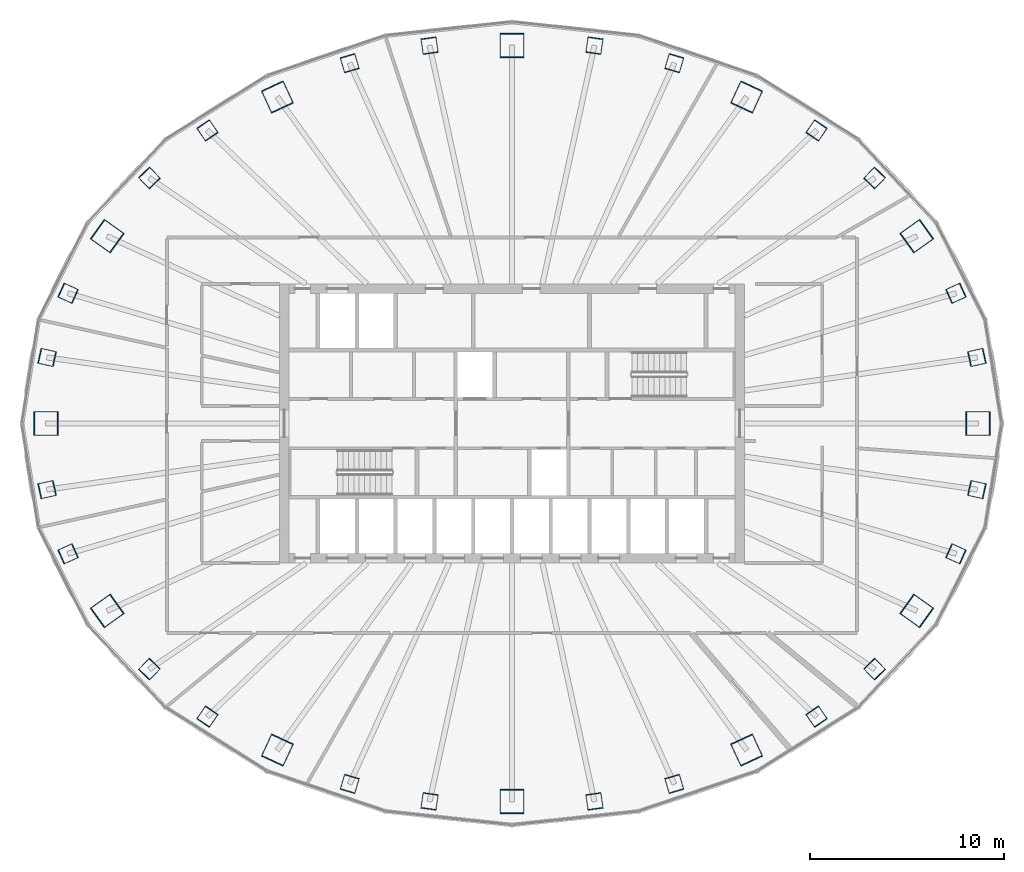
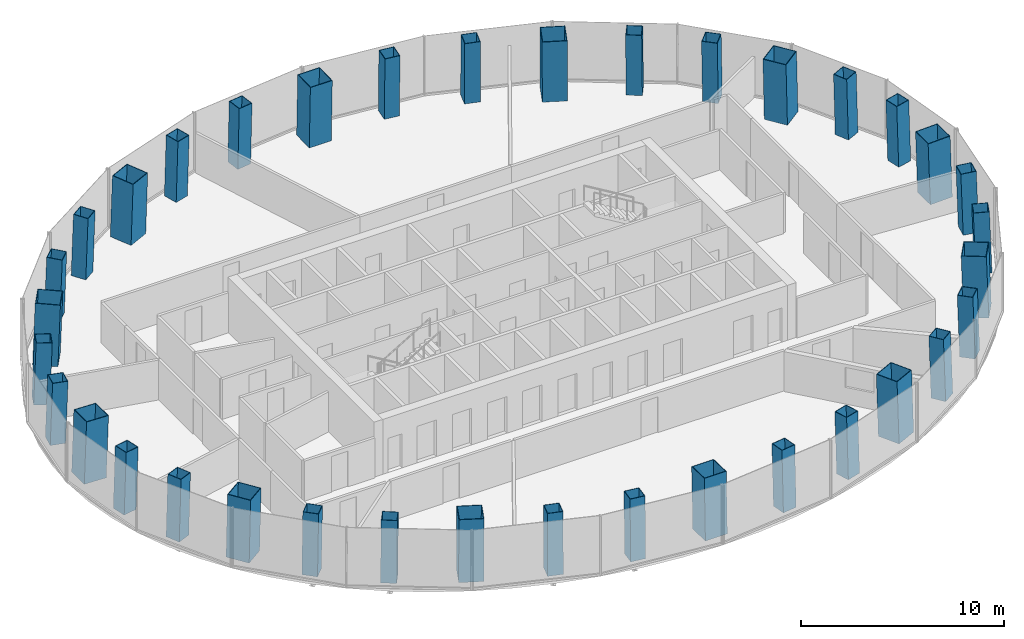
# One storey, part 1 of 11: 36 columns.
"""IFC4 building model written with IfcOpenShell, lengths in metres."""

from ifc_helpers import new_model, si_unit, direction, frame, origin, origin_2d, place, context, subcontext, project, spatial, hollow_rectangle, extrude, material, material_profile, profile_set, type_object, element, save


model = new_model("IFC4")

# Units and contexts
model_context = context("Model", 3, precision=1e-05, world=origin(), true_north=direction((0.0, 1.0)))
body_context = subcontext(model_context, "Body", "Model", "MODEL_VIEW")
ifc_project = project(units=[si_unit("LENGTHUNIT", "METRE"), si_unit("AREAUNIT", "SQUARE_METRE"), si_unit("VOLUMEUNIT", "CUBIC_METRE"), si_unit("PLANEANGLEUNIT", "RADIAN"), si_unit("MASSUNIT", "GRAM", prefix="KILO")], contexts=[model_context])

# Site, building, storey
site_placement = place(None, origin())
site = spatial("IfcSite", under=ifc_project, at=site_placement, CompositionType="ELEMENT")
building_placement = place(site_placement, origin())
building = spatial("IfcBuilding", under=site, at=building_placement, Name="Siaravel Broadcast Tower", CompositionType="ELEMENT")
storey_placement = place(building_placement, frame((0.0, 0.0, 126.699951171875)))
storey = spatial("IfcBuildingStorey", under=building, at=storey_placement, Name="L30", CompositionType="ELEMENT", Elevation=126.699951171875)

# Columns
ifc_material = material(Name="Concrete C60/75", Category="concrete")
ifc_material_profile_1 = material_profile(ifc_material, hollow_rectangle(XDim=1.25, YDim=1.25, WallThickness=0.031982421875, at=origin_2d()))
ifc_profile_set_1 = profile_set([ifc_material_profile_1], Name="Concrete C60/75")
column_type_1 = type_object("IfcColumnType", Name="COL-CFT BOX 1250x1250x32", PredefinedType="COLUMN", material=ifc_profile_set_1)
column_1_placement = place(storey_placement, frame((24.05712890625, 0.0, 0.0), z_axis=(-0.034621265, 0.0, 0.999400504), x_axis=(0.0, -1.0, 0.0)))
element("IfcColumn", 1, at=column_1_placement, inside=storey, type_object=column_type_1, Name="Megacolumn MC01", PredefinedType="COLUMN", context=body_context, shape_type="SweptSolid", body=[
    extrude(hollow_rectangle(XDim=1.25, YDim=1.25, WallThickness=0.031982421875, at=origin_2d()), origin(), (0.0, 0.0, 1.0), 3.7021484375),
])
column_2_placement = place(storey_placement, frame((20.8876953125, 9.66943359375, 0.0), z_axis=(-0.030006584, -0.014112987, 0.999450063), x_axis=(0.580982945, -0.813893982, 0.005950111)))
element("IfcColumn", 2, at=column_2_placement, inside=storey, type_object=column_type_1, Name="Megacolumn MC02", PredefinedType="COLUMN", context=body_context, shape_type="SweptSolid", body=[
    extrude(hollow_rectangle(XDim=1.25, YDim=1.25, WallThickness=0.031982421875, at=origin_2d()), origin(), (0.0, 0.0, 1.0), 3.701904296875),
])
column_3_placement = place(storey_placement, frame((12.1083984375, 16.851318359375, 0.0), z_axis=(-0.017346173, -0.024535271, 0.999548463), x_axis=(0.907210732, -0.420641567, 0.005418526)))
element("IfcColumn", 3, at=column_3_placement, inside=storey, type_object=column_type_1, Name="Megacolumn MC03", PredefinedType="COLUMN", context=body_context, shape_type="SweptSolid", body=[
    extrude(hollow_rectangle(XDim=1.25, YDim=1.25, WallThickness=0.031982421875, at=origin_2d()), origin(), (0.0, 0.0, 1.0), 3.70166015625),
])
column_4_placement = place(storey_placement, frame((0.0, 19.506591796875, 0.0), z_axis=(0.0, -0.02836206, 0.999597716), x_axis=(1.0, 0.0, 0.0)))
element("IfcColumn", 4, at=column_4_placement, inside=storey, type_object=column_type_1, Name="Megacolumn MC04", PredefinedType="COLUMN", context=body_context, shape_type="SweptSolid", body=[
    extrude(hollow_rectangle(XDim=1.25, YDim=1.25, WallThickness=0.031982421875, at=origin_2d()), origin(), (0.0, 0.0, 1.0), 3.701416015625),
])
column_5_placement = place(storey_placement, frame((-12.1083984375, 16.851318359375, 0.0), z_axis=(0.017346173, -0.024535271, 0.999548463), x_axis=(0.907210732, 0.420641567, -0.005418526)))
element("IfcColumn", 5, at=column_5_placement, inside=storey, type_object=column_type_1, Name="Megacolumn MC05", PredefinedType="COLUMN", context=body_context, shape_type="SweptSolid", body=[
    extrude(hollow_rectangle(XDim=1.25, YDim=1.25, WallThickness=0.031982421875, at=origin_2d()), origin(), (0.0, 0.0, 1.0), 3.70166015625),
])
column_6_placement = place(storey_placement, frame((-20.8876953125, 9.66943359375, 0.0), z_axis=(0.030006584, -0.014112987, 0.999450063), x_axis=(0.580982945, 0.813893982, -0.005950111)))
element("IfcColumn", 6, at=column_6_placement, inside=storey, type_object=column_type_1, Name="Megacolumn MC06", PredefinedType="COLUMN", context=body_context, shape_type="SweptSolid", body=[
    extrude(hollow_rectangle(XDim=1.25, YDim=1.25, WallThickness=0.031982421875, at=origin_2d()), origin(), (0.0, 0.0, 1.0), 3.701904296875),
])
column_7_placement = place(storey_placement, frame((-24.05712890625, 0.0, 0.0), z_axis=(0.034621265, 0.0, 0.999400504), x_axis=(0.0, 1.0, 0.0)))
element("IfcColumn", 7, at=column_7_placement, inside=storey, type_object=column_type_1, Name="Megacolumn MC07", PredefinedType="COLUMN", context=body_context, shape_type="SweptSolid", body=[
    extrude(hollow_rectangle(XDim=1.25, YDim=1.25, WallThickness=0.031982421875, at=origin_2d()), origin(), (0.0, 0.0, 1.0), 3.7021484375),
])
column_8_placement = place(storey_placement, frame((-20.8876953125, -9.66943359375, 0.0), z_axis=(0.030006584, 0.014112987, 0.999450063), x_axis=(-0.580982945, 0.813893982, 0.005950111)))
element("IfcColumn", 8, at=column_8_placement, inside=storey, type_object=column_type_1, Name="Megacolumn MC08", PredefinedType="COLUMN", context=body_context, shape_type="SweptSolid", body=[
    extrude(hollow_rectangle(XDim=1.25, YDim=1.25, WallThickness=0.031982421875, at=origin_2d()), origin(), (0.0, 0.0, 1.0), 3.701904296875),
])
column_9_placement = place(storey_placement, frame((-12.1083984375, -16.851318359375, 0.0), z_axis=(0.017346173, 0.024535271, 0.999548463), x_axis=(-0.907210732, 0.420641567, 0.005418526)))
element("IfcColumn", 9, at=column_9_placement, inside=storey, type_object=column_type_1, Name="Megacolumn MC09", PredefinedType="COLUMN", context=body_context, shape_type="SweptSolid", body=[
    extrude(hollow_rectangle(XDim=1.25, YDim=1.25, WallThickness=0.031982421875, at=origin_2d()), origin(), (0.0, 0.0, 1.0), 3.70166015625),
])
column_10_placement = place(storey_placement, frame((0.0, -19.506591796875, 0.0), z_axis=(0.0, 0.02836206, 0.999597716), x_axis=(-1.0, 0.0, 0.0)))
element("IfcColumn", 10, at=column_10_placement, inside=storey, type_object=column_type_1, Name="Megacolumn MC10", PredefinedType="COLUMN", context=body_context, shape_type="SweptSolid", body=[
    extrude(hollow_rectangle(XDim=1.25, YDim=1.25, WallThickness=0.031982421875, at=origin_2d()), origin(), (0.0, 0.0, 1.0), 3.701416015625),
])
column_11_placement = place(storey_placement, frame((12.1083984375, -16.851318359375, 0.0), z_axis=(-0.017346173, 0.024535271, 0.999548463), x_axis=(-0.907210732, -0.420641567, -0.005418526)))
element("IfcColumn", 11, at=column_11_placement, inside=storey, type_object=column_type_1, Name="Megacolumn MC11", PredefinedType="COLUMN", context=body_context, shape_type="SweptSolid", body=[
    extrude(hollow_rectangle(XDim=1.25, YDim=1.25, WallThickness=0.031982421875, at=origin_2d()), origin(), (0.0, 0.0, 1.0), 3.70166015625),
])
column_12_placement = place(storey_placement, frame((20.8876953125, -9.66943359375, 0.0), z_axis=(-0.030006584, 0.014112987, 0.999450063), x_axis=(-0.580982945, -0.813893982, -0.005950111)))
element("IfcColumn", 12, at=column_12_placement, inside=storey, type_object=column_type_1, Name="Megacolumn MC12", PredefinedType="COLUMN", context=body_context, shape_type="SweptSolid", body=[
    extrude(hollow_rectangle(XDim=1.25, YDim=1.25, WallThickness=0.031982421875, at=origin_2d()), origin(), (0.0, 0.0, 1.0), 3.701904296875),
])
ifc_material_profile_2 = material_profile(ifc_material, hollow_rectangle(XDim=0.800048828125, YDim=0.800048828125, WallThickness=0.02490234375, at=origin_2d()))
ifc_profile_set_2 = profile_set([ifc_material_profile_2], Name="Concrete C60/75")
column_type_2 = type_object("IfcColumnType", Name="COL-CFT BOX 800x800x25", PredefinedType="COLUMN", material=ifc_profile_set_2)
for number, where, z_axis, x_axis, name in (
    (13, (23.992919921875, 3.409912109375, 0.0), (-0.034093903, -0.004945924, 0.999406396), (0.213230699, -0.976998833, 0.002439153), "Perimeter column C01"),
    (14, (22.908935546875, 6.722900390625, 0.0), (-0.032511791, -0.009694185, 0.999424337), (0.409949312, -0.912097261, 0.004488731), "Perimeter column C02"),
):
    element("IfcColumn", number, at=place(storey_placement, frame(where, z_axis=z_axis, x_axis=x_axis)), inside=storey, type_object=column_type_2, Name=name, PredefinedType="COLUMN", context=body_context, shape_type="SweptSolid", body=[
        extrude(hollow_rectangle(XDim=0.800048828125, YDim=0.800048828125, WallThickness=0.02490234375, at=origin_2d()), origin(), (0.0, 0.0, 1.0), 3.7021484375),
    ])
column_13_placement = place(storey_placement, frame((18.712646484375, 12.673095703125, 0.0), z_axis=(-0.026512179, -0.018202391, 0.999482755), x_axis=(0.719923264, -0.694023629, 0.006457184)))
element("IfcColumn", 15, at=column_13_placement, inside=storey, type_object=column_type_2, Name="Perimeter column C03", PredefinedType="COLUMN", context=body_context, shape_type="SweptSolid", body=[
    extrude(hollow_rectangle(XDim=0.800048828125, YDim=0.800048828125, WallThickness=0.02490234375, at=origin_2d()), origin(), (0.0, 0.0, 1.0), 3.701904296875),
])
column_14_placement = place(storey_placement, frame((15.717529296875, 15.126220703125, 0.0), z_axis=(-0.022226156, -0.021698532, 0.999517469), x_axis=(0.82807698, -0.560579634, 0.006244226)))
element("IfcColumn", 16, at=column_14_placement, inside=storey, type_object=column_type_2, Name="Perimeter column C04", PredefinedType="COLUMN", context=body_context, shape_type="SweptSolid", body=[
    extrude(hollow_rectangle(XDim=0.800048828125, YDim=0.800048828125, WallThickness=0.02490234375, at=origin_2d()), origin(), (0.0, 0.0, 1.0), 3.70166015625),
])
for number, where, z_axis, x_axis, name in (
    (17, (8.375732421875, 18.59716796875, 0.0), (-0.011872213, -0.026646524, 0.999574416), (0.959438132, -0.28189255, 0.003880849), "Perimeter column C05"),
    (18, (4.254150390625, 19.501708984375, 0.0), (-0.006002162, -0.027966118, 0.999590851), (0.990198174, -0.139654645, 0.002038566), "Perimeter column C06"),
    (19, (-4.254150390625, 19.501708984375, 0.0), (0.006002162, -0.027966118, 0.999590851), (0.990198174, 0.139654645, -0.002038566), "Perimeter column C07"),
    (20, (-8.375732421875, 18.59716796875, 0.0), (0.011872213, -0.026646524, 0.999574416), (0.959438132, 0.28189255, -0.003880849), "Perimeter column C08"),
):
    element("IfcColumn", number, at=place(storey_placement, frame(where, z_axis=z_axis, x_axis=x_axis)), inside=storey, type_object=column_type_2, Name=name, PredefinedType="COLUMN", context=body_context, shape_type="SweptSolid", body=[
        extrude(hollow_rectangle(XDim=0.800048828125, YDim=0.800048828125, WallThickness=0.02490234375, at=origin_2d()), origin(), (0.0, 0.0, 1.0), 3.701416015625),
    ])
column_15_placement = place(storey_placement, frame((-15.717529296875, 15.126220703125, 0.0), z_axis=(0.022226156, -0.021698532, 0.999517469), x_axis=(0.82807698, 0.560579634, -0.006244226)))
element("IfcColumn", 21, at=column_15_placement, inside=storey, type_object=column_type_2, Name="Perimeter column C09", PredefinedType="COLUMN", context=body_context, shape_type="SweptSolid", body=[
    extrude(hollow_rectangle(XDim=0.800048828125, YDim=0.800048828125, WallThickness=0.02490234375, at=origin_2d()), origin(), (0.0, 0.0, 1.0), 3.70166015625),
])
column_16_placement = place(storey_placement, frame((-18.712646484375, 12.673095703125, 0.0), z_axis=(0.026512179, -0.018202391, 0.999482755), x_axis=(0.719923264, 0.694023629, -0.006457184)))
element("IfcColumn", 22, at=column_16_placement, inside=storey, type_object=column_type_2, Name="Perimeter column C10", PredefinedType="COLUMN", context=body_context, shape_type="SweptSolid", body=[
    extrude(hollow_rectangle(XDim=0.800048828125, YDim=0.800048828125, WallThickness=0.02490234375, at=origin_2d()), origin(), (0.0, 0.0, 1.0), 3.701904296875),
])
for number, where, z_axis, x_axis, name in (
    (23, (-22.908935546875, 6.722900390625, 0.0), (0.032511791, -0.009694185, 0.999424337), (0.409949312, 0.912097261, -0.004488731), "Perimeter column C11"),
    (24, (-23.992919921875, 3.409912109375, 0.0), (0.034093903, -0.004945924, 0.999406396), (0.213230699, 0.976998833, -0.002439153), "Perimeter column C12"),
    (25, (-23.992919921875, -3.409912109375, 0.0), (0.034093903, 0.004945924, 0.999406396), (-0.213230699, 0.976998833, 0.002439153), "Perimeter column C13"),
    (26, (-22.908935546875, -6.722900390625, 0.0), (0.032511791, 0.009694185, 0.999424337), (-0.409949312, 0.912097261, 0.004488731), "Perimeter column C14"),
):
    element("IfcColumn", number, at=place(storey_placement, frame(where, z_axis=z_axis, x_axis=x_axis)), inside=storey, type_object=column_type_2, Name=name, PredefinedType="COLUMN", context=body_context, shape_type="SweptSolid", body=[
        extrude(hollow_rectangle(XDim=0.800048828125, YDim=0.800048828125, WallThickness=0.02490234375, at=origin_2d()), origin(), (0.0, 0.0, 1.0), 3.7021484375),
    ])
column_17_placement = place(storey_placement, frame((-18.712646484375, -12.673095703125, 0.0), z_axis=(0.026512179, 0.018202391, 0.999482755), x_axis=(-0.719923264, 0.694023629, 0.006457184)))
element("IfcColumn", 27, at=column_17_placement, inside=storey, type_object=column_type_2, Name="Perimeter column C15", PredefinedType="COLUMN", context=body_context, shape_type="SweptSolid", body=[
    extrude(hollow_rectangle(XDim=0.800048828125, YDim=0.800048828125, WallThickness=0.02490234375, at=origin_2d()), origin(), (0.0, 0.0, 1.0), 3.701904296875),
])
column_18_placement = place(storey_placement, frame((-15.717529296875, -15.126220703125, 0.0), z_axis=(0.022226156, 0.021698532, 0.999517469), x_axis=(-0.82807698, 0.560579634, 0.006244226)))
element("IfcColumn", 28, at=column_18_placement, inside=storey, type_object=column_type_2, Name="Perimeter column C16", PredefinedType="COLUMN", context=body_context, shape_type="SweptSolid", body=[
    extrude(hollow_rectangle(XDim=0.800048828125, YDim=0.800048828125, WallThickness=0.02490234375, at=origin_2d()), origin(), (0.0, 0.0, 1.0), 3.70166015625),
])
for number, where, z_axis, x_axis, name in (
    (29, (-8.375732421875, -18.59716796875, 0.0), (0.011872213, 0.026646524, 0.999574416), (-0.959438132, 0.28189255, 0.003880849), "Perimeter column C17"),
    (30, (-4.254150390625, -19.501708984375, 0.0), (0.006002162, 0.027966118, 0.999590851), (-0.990198174, 0.139654645, 0.002038566), "Perimeter column C18"),
    (31, (4.254150390625, -19.501708984375, 0.0), (-0.006002162, 0.027966118, 0.999590851), (-0.990198174, -0.139654645, -0.002038566), "Perimeter column C19"),
    (32, (8.375732421875, -18.59716796875, 0.0), (-0.011872213, 0.026646524, 0.999574416), (-0.959438132, -0.28189255, -0.003880849), "Perimeter column C20"),
):
    element("IfcColumn", number, at=place(storey_placement, frame(where, z_axis=z_axis, x_axis=x_axis)), inside=storey, type_object=column_type_2, Name=name, PredefinedType="COLUMN", context=body_context, shape_type="SweptSolid", body=[
        extrude(hollow_rectangle(XDim=0.800048828125, YDim=0.800048828125, WallThickness=0.02490234375, at=origin_2d()), origin(), (0.0, 0.0, 1.0), 3.701416015625),
    ])
column_19_placement = place(storey_placement, frame((15.717529296875, -15.126220703125, 0.0), z_axis=(-0.022226156, 0.021698532, 0.999517469), x_axis=(-0.82807698, -0.560579634, -0.006244226)))
element("IfcColumn", 33, at=column_19_placement, inside=storey, type_object=column_type_2, Name="Perimeter column C21", PredefinedType="COLUMN", context=body_context, shape_type="SweptSolid", body=[
    extrude(hollow_rectangle(XDim=0.800048828125, YDim=0.800048828125, WallThickness=0.02490234375, at=origin_2d()), origin(), (0.0, 0.0, 1.0), 3.70166015625),
])
column_20_placement = place(storey_placement, frame((18.712646484375, -12.673095703125, 0.0), z_axis=(-0.026512179, 0.018202391, 0.999482755), x_axis=(-0.719923264, -0.694023629, -0.006457184)))
element("IfcColumn", 34, at=column_20_placement, inside=storey, type_object=column_type_2, Name="Perimeter column C22", PredefinedType="COLUMN", context=body_context, shape_type="SweptSolid", body=[
    extrude(hollow_rectangle(XDim=0.800048828125, YDim=0.800048828125, WallThickness=0.02490234375, at=origin_2d()), origin(), (0.0, 0.0, 1.0), 3.701904296875),
])
for number, where, z_axis, x_axis, name in (
    (35, (22.908935546875, -6.722900390625, 0.0), (-0.032511791, 0.009694185, 0.999424337), (-0.409949312, -0.912097261, -0.004488731), "Perimeter column C23"),
    (36, (23.992919921875, -3.409912109375, 0.0), (-0.034093903, 0.004945924, 0.999406396), (-0.213230699, -0.976998833, -0.002439153), "Perimeter column C24"),
):
    element("IfcColumn", number, at=place(storey_placement, frame(where, z_axis=z_axis, x_axis=x_axis)), inside=storey, type_object=column_type_2, Name=name, PredefinedType="COLUMN", context=body_context, shape_type="SweptSolid", body=[
        extrude(hollow_rectangle(XDim=0.800048828125, YDim=0.800048828125, WallThickness=0.02490234375, at=origin_2d()), origin(), (0.0, 0.0, 1.0), 3.7021484375),
    ])

save(model, "model.ifc")
